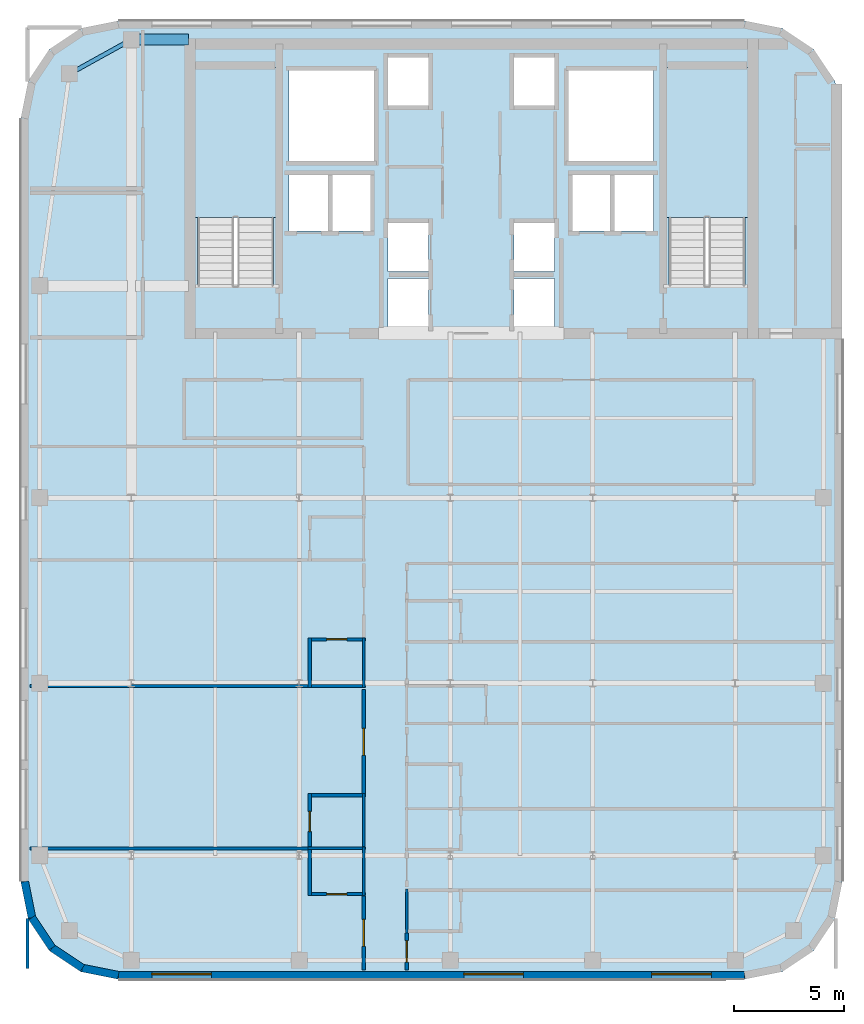
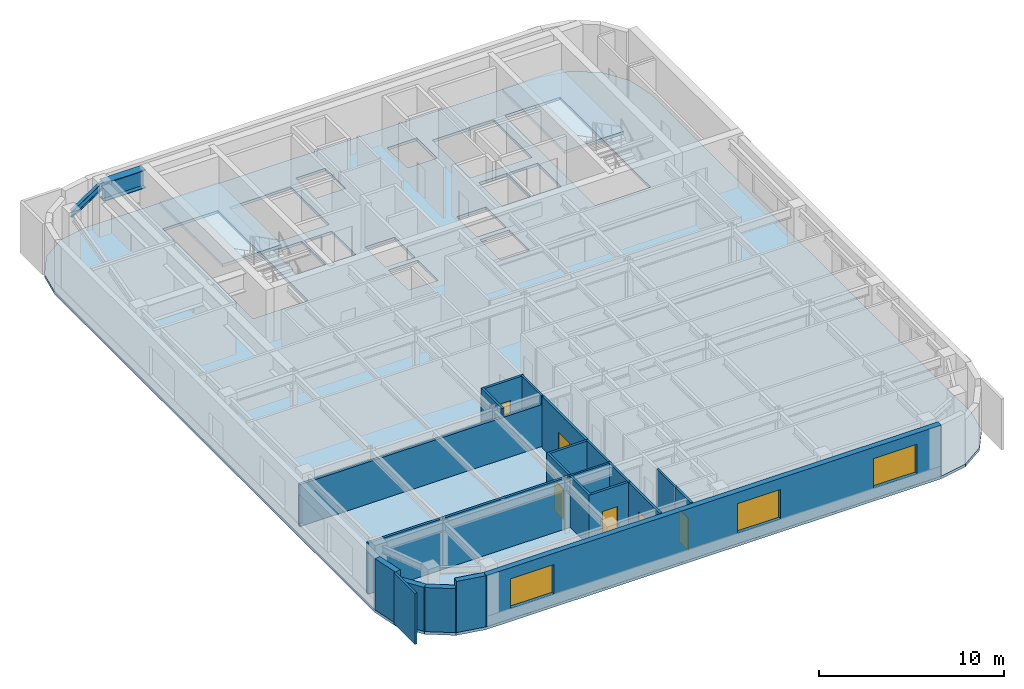
# One storey, part 3 of 12: 22 walls, 6 doors, 3 slabs, 3 windows, 2 beams, 9 openings, 2 elements without a shape of their own.
"""IFC4 building model written with IfcOpenShell, lengths in metres."""

from ifc_helpers import new_model, si_unit, direction, frame, frame_2d, origin, origin_2d, place, context, subcontext, project, spatial, polyline, rectangle, i_section, outline, extrude, source, transform, mapped, material, layer, layer_set, material_profile, profile_set, type_object, type_shapes, element, fill, aggregate, save


model = new_model("IFC4")

# Units and contexts
model_context = context("Model", 3, precision=1e-05, world=origin(), true_north=direction((0.0, 1.0)))
body_context = subcontext(model_context, "Body", "Model", "MODEL_VIEW")
ifc_project = project(units=[si_unit("LENGTHUNIT", "METRE"), si_unit("AREAUNIT", "SQUARE_METRE"), si_unit("VOLUMEUNIT", "CUBIC_METRE"), si_unit("PLANEANGLEUNIT", "RADIAN"), si_unit("MASSUNIT", "GRAM", prefix="KILO")], contexts=[model_context])

# Site, building, storey
site_placement = place(None, origin())
site = spatial("IfcSite", under=ifc_project, at=site_placement, CompositionType="ELEMENT")
building_placement = place(site_placement, origin())
building = spatial("IfcBuilding", under=site, at=building_placement, Name="Tolvann Quenvar Hotel", CompositionType="ELEMENT")
storey_placement = place(building_placement, frame((0.0, 0.0, 213.25)))
storey = spatial("IfcBuildingStorey", under=building, at=storey_placement, Name="L56", CompositionType="ELEMENT", Elevation=213.25)

# Beams
ifc_material_1 = material(Name="Steel Grade 350", Category="steel")
ifc_material_profile_1 = material_profile(ifc_material_1, i_section(OverallWidth=0.5, OverallDepth=1.199951171875, WebThickness=0.01611328125, FlangeThickness=0.0400390625, at=origin_2d()), Name="1200WB455")
ifc_profile_set_1 = profile_set([ifc_material_profile_1], Name="Steel Grade 350")
beam_type_1 = type_object("IfcBeamType", Name="BM_TG_1200WB455", PredefinedType="USERDEFINED", material=ifc_profile_set_1)
shared_shape_1 = source(origin(), body_context, "Body", "SweptSolid", [
    extrude(i_section(OverallWidth=0.5, OverallDepth=1.199951171875, WebThickness=0.01611328125, FlangeThickness=0.0400390625, at=origin_2d()), origin(), (0.0, 0.0, 1.0), 2.599853515625),
])
type_shapes(beam_type_1, [shared_shape_1])
beam_1_placement = place(storey_placement, frame((7.60009765625, 45.14990234375, 2.77001953125), z_axis=(1.0, 0.0, 0.0), x_axis=(0.0, 1.0, 0.0)))
element("IfcBeam", 1, at=beam_1_placement, inside=storey, type_object=beam_type_1, Name="BM-L56-CTW-CN", ObjectType="TRANSFER GIRDER", PredefinedType="USERDEFINED", context=body_context, shape_type="MappedRepresentation", body=[
    mapped(shared_shape_1, transform((0.0, 0.0, 0.0), x_axis=(1.0, 0.0, 0.0), y_axis=(0.0, 1.0, 0.0), z_axis=(0.0, 0.0, 1.0), scale=1.0)),
])
ifc_material_profile_2 = material_profile(ifc_material_1, i_section(OverallWidth=0.19091796875, OverallDepth=0.4599609375, WebThickness=0.010009765625, FlangeThickness=0.01611328125, FilletRadius=0.011474609375, at=origin_2d()), Name="460UB82")
ifc_profile_set_2 = profile_set([ifc_material_profile_2], Name="Steel Grade 350")
beam_type_2 = type_object("IfcBeamType", Name="BM_SPAND_460UB82", PredefinedType="SPANDREL", material=ifc_profile_set_2)
shared_shape_2 = source(origin(), body_context, "Body", "SweptSolid", [
    extrude(i_section(OverallWidth=0.19091796875, OverallDepth=0.4599609375, WebThickness=0.010009765625, FlangeThickness=0.01611328125, FilletRadius=0.011474609375, at=origin_2d()), origin(), (0.0, 0.0, 1.0), 3.200439453125),
])
type_shapes(beam_type_2, [shared_shape_2])
beam_2_placement = place(storey_placement, frame((4.800048828125, 43.60009765625, 3.139892578125), z_axis=(0.87492264453, 0.48426270359, 0.0), x_axis=(-0.48426270359, 0.87492264453, 0.0)))
element("IfcBeam", 2, at=beam_2_placement, inside=storey, type_object=beam_type_2, Name="BM-L56-FLK-W3", PredefinedType="SPANDREL", context=body_context, shape_type="MappedRepresentation", body=[
    mapped(shared_shape_2, transform((0.0, 0.0, 0.0), x_axis=(1.0, 0.0, 0.0), y_axis=(0.0, 1.0, 0.0), z_axis=(0.0, 0.0, 1.0), scale=1.0)),
])

# Stair, slab
ifc_material_2 = material(Name="Concrete N40 (40 MPa)", Category="concrete")
stair_type = type_object("IfcStairType", Name="STAIR", PredefinedType="HALF_TURN_STAIR", material=ifc_material_2)
stair_1_placement = place(storey_placement, origin())
stair_1 = element("IfcStair", 3, at=stair_1_placement, inside=storey, type_object=stair_type, Name="L56 ST-C1", PredefinedType="HALF_TURN_STAIR")
ifc_layer_1 = layer(ifc_material_2, 0.199951171875)
ifc_layer_set_1 = layer_set([ifc_layer_1], Name="Concrete N40 (40 MPa)")
slab_type_1 = type_object("IfcSlabType", Name="SLAB_LANDING", PredefinedType="LANDING", material=ifc_layer_set_1)
slab_1_placement = place(storey_placement, frame((0.0, 0.0, 1.574951171875)))
slab_1 = element("IfcSlab", 4, at=slab_1_placement, type_object=slab_type_1, Name="ST-C1 landing 1", PredefinedType="LANDING", context=body_context, shape_type="SweptSolid", body=[
    extrude(outline(polyline([(14.179931640625, 37.10498046875), (14.179931640625, 43.8798828125), (10.469970703125, 43.8798828125), (10.469970703125, 37.10498046875), (14.179931640625, 37.10498046875)])), origin(), (0.0, 0.0, 1.0), 0.199951171875),
])
aggregate(stair_1, [slab_1])

stair_2_placement = place(storey_placement, origin())
stair_2 = element("IfcStair", 5, at=stair_2_placement, inside=storey, type_object=stair_type, Name="L56 ST-C2", PredefinedType="HALF_TURN_STAIR")
slab_2_placement = place(storey_placement, frame((0.0, 0.0, 1.574951171875)))
slab_2 = element("IfcSlab", 6, at=slab_2_placement, type_object=slab_type_1, Name="ST-C2 landing 1", PredefinedType="LANDING", context=body_context, shape_type="SweptSolid", body=[
    extrude(outline(polyline([(35.530029296875, 37.10498046875), (35.530029296875, 43.8798828125), (31.820068359375, 43.8798828125), (31.820068359375, 37.10498046875), (35.530029296875, 37.10498046875)])), origin(), (0.0, 0.0, 1.0), 0.199951171875),
])
aggregate(stair_2, [slab_2])

# Slab
ifc_layer_2 = layer(ifc_material_2, 0.179931640625)
ifc_layer_set_2 = layer_set([ifc_layer_2], Name="Concrete N40 (40 MPa)")
slab_type_2 = type_object("IfcSlabType", Name="SLAB_TWR_180", PredefinedType="FLOOR", material=ifc_layer_set_2)
slab_3_placement = place(storey_placement, frame((0.0, 0.0, -0.179931640625)))
element("IfcSlab", 7, at=slab_3_placement, inside=storey, type_object=slab_type_2, Name="Level L56 Structural Floor Slab", PredefinedType="FLOOR", context=body_context, shape_type="SweptSolid", body=[
    extrude(outline(polyline([(2.60009765625, 7.0), (2.934814453125, 5.316162109375), (3.888671875, 3.888671875), (5.316162109375, 2.934814453125), (7.0, 2.60009765625), (35.39990234375, 2.60009765625), (37.083740234375, 2.934814453125), (38.51123046875, 3.888671875), (39.465087890625, 5.316162109375), (39.800048828125, 7.0), (39.800048828125, 41.60009765625), (39.465087890625, 43.28369140625), (38.51123046875, 44.711181640625), (37.083740234375, 45.6650390625), (35.39990234375, 46.0), (7.0, 46.0), (5.316162109375, 45.6650390625), (3.888671875, 44.711181640625), (2.934814453125, 43.28369140625), (2.60009765625, 41.60009765625), (2.60009765625, 7.0)]), holes=[polyline([(31.949951171875, 34.02490234375), (31.949951171875, 43.800048828125), (35.39990234375, 43.800048828125), (35.39990234375, 34.02490234375), (31.949951171875, 34.02490234375)]), polyline([(27.39990234375, 43.75), (31.25, 43.75), (31.25, 39.64990234375), (27.39990234375, 39.64990234375), (27.39990234375, 43.75)]), polyline([(29.449951171875, 39.02001953125), (31.25, 39.02001953125), (31.25, 36.47998046875), (29.449951171875, 36.47998046875), (29.449951171875, 39.02001953125)]), polyline([(27.574951171875, 39.02001953125), (29.324951171875, 39.02001953125), (29.324951171875, 36.47998046875), (27.574951171875, 36.47998046875), (27.574951171875, 39.02001953125)]), polyline([(24.929931640625, 36.840087890625), (26.77001953125, 36.840087890625), (26.77001953125, 34.659912109375), (24.929931640625, 34.659912109375), (24.929931640625, 36.840087890625)]), polyline([(24.929931640625, 44.340087890625), (26.77001953125, 44.340087890625), (26.77001953125, 42.159912109375), (24.929931640625, 42.159912109375), (24.929931640625, 44.340087890625)]), polyline([(24.929931640625, 32.159912109375), (24.929931640625, 34.340087890625), (26.77001953125, 34.340087890625), (26.77001953125, 32.159912109375), (24.929931640625, 32.159912109375)]), polyline([(19.22998046875, 36.840087890625), (21.070068359375, 36.840087890625), (21.070068359375, 34.659912109375), (19.22998046875, 34.659912109375), (19.22998046875, 36.840087890625)]), polyline([(19.22998046875, 44.340087890625), (21.070068359375, 44.340087890625), (21.070068359375, 42.159912109375), (19.22998046875, 42.159912109375), (19.22998046875, 44.340087890625)]), polyline([(19.22998046875, 32.159912109375), (19.22998046875, 34.340087890625), (21.070068359375, 34.340087890625), (21.070068359375, 32.159912109375), (19.22998046875, 32.159912109375)]), polyline([(14.75, 43.75), (18.60009765625, 43.75), (18.60009765625, 39.64990234375), (14.75, 39.64990234375), (14.75, 43.75)]), polyline([(16.675048828125, 39.02001953125), (18.425048828125, 39.02001953125), (18.425048828125, 36.47998046875), (16.675048828125, 36.47998046875), (16.675048828125, 39.02001953125)]), polyline([(14.75, 39.02001953125), (16.550048828125, 39.02001953125), (16.550048828125, 36.47998046875), (14.75, 36.47998046875), (14.75, 39.02001953125)]), polyline([(10.60009765625, 34.02490234375), (10.60009765625, 43.800048828125), (14.050048828125, 43.800048828125), (14.050048828125, 34.02490234375), (10.60009765625, 34.02490234375)])]), origin(), (0.0, 0.0, 1.0), 0.179931640625),
])

# Walls
ifc_material_3 = material(Name="Kiln-fired red and buff architectural clay brickwork and terracotta masonry", Category="masonry")
ifc_layer_3 = layer(ifc_material_3, 0.35009765625)
ifc_layer_set_3 = layer_set([ifc_layer_3], Name="Kiln-fired red and buff architectural clay brickwork and terracotta masonry")
wall_type_1 = type_object("IfcWallType", Name="WALL_EXT_BRICK_350", PredefinedType="SOLIDWALL", material=ifc_layer_set_3)
for number, where, z_axis, x_axis, name in (
    (8, (3.099609375, 5.384521484375, 0.0), (0.0, 0.0, 1.0), (0.555623290322, -0.831434158098, 0.0), "Exterior Chicago Brick Wall L56-E01"),
    (9, (4.014892578125, 4.014892578125, 0.0), (0.0, 0.0, 1.0), (0.831434158098, -0.555623290322, 0.0), "Exterior Chicago Brick Wall L56-E02"),
):
    element("IfcWall", number, at=place(storey_placement, frame(where, z_axis=z_axis, x_axis=x_axis)), inside=storey, type_object=wall_type_1, Name=name, PredefinedType="SOLIDWALL", context=body_context, shape_type="SweptSolid", body=[
        extrude(rectangle(XDim=1.647216796875, YDim=0.35009765625, at=frame_2d((0.82373046875, 0.0))), origin(), (0.0, 0.0, 1.0), 2.89990234375),
    ])
wall_1_placement = place(storey_placement, frame((5.384521484375, 3.099609375, 0.0), z_axis=(0.0, 0.0, 1.0), x_axis=(0.980788844421, -0.195072403631, 0.0)))
element("IfcWall", 10, at=wall_1_placement, inside=storey, type_object=wall_type_1, Name="Exterior Chicago Brick Wall L56-E03", PredefinedType="SOLIDWALL", context=body_context, shape_type="SweptSolid", body=[
    extrude(rectangle(XDim=1.66455078125, YDim=0.35009765625, at=frame_2d((0.832275390625, 0.0))), origin(), (0.0, 0.0, 1.0), 3.3701171875),
])

# Wall, openings, windows
wall_2_placement = place(storey_placement, frame((7.01708984375, 2.77490234375, 0.0), z_axis=(0.0, 0.0, 1.0), x_axis=(1.0, 0.0, 0.0)))
wall_2 = element("IfcWall", 11, at=wall_2_placement, inside=storey, type_object=wall_type_1, Name="Exterior Chicago Brick Wall L56-E04", PredefinedType="SOLIDWALL", context=body_context, shape_type="SweptSolid", body=[
    extrude(rectangle(XDim=28.36572265625, YDim=0.35009765625, at=frame_2d((14.182861328125, 0.0))), origin(), (0.0, 0.0, 1.0), 3.3701171875),
])
opening_1_placement = place(wall_2_placement, frame((1.513916015625, 0.0, 0.679931640625)))
opening_1 = element("IfcOpeningElement", 12, at=opening_1_placement, cuts=wall_2, Name="Opening W-04", PredefinedType="OPENING", context=body_context, shape_type="SweptSolid", body=[
    extrude(rectangle(XDim=2.699951171875, YDim=1.949951171875, at=frame_2d((1.35009765625, 0.97509765625))), frame((0.0, 0.18505859375, 0.0), z_axis=(0.0, -1.0, 0.0), x_axis=(1.0, 0.0, 0.0)), (0.0, 0.0, 1.0), 0.3701171875),
])
opening_2_placement = place(wall_2_placement, frame((15.64697265625, 0.0, 0.679931640625)))
opening_2 = element("IfcOpeningElement", 13, at=opening_2_placement, cuts=wall_2, Name="Opening W-04", PredefinedType="OPENING", context=body_context, shape_type="SweptSolid", body=[
    extrude(rectangle(XDim=2.699951171875, YDim=1.949951171875, at=frame_2d((1.35009765625, 0.97509765625))), frame((0.0, 0.18505859375, 0.0), z_axis=(0.0, -1.0, 0.0), x_axis=(1.0, 0.0, 0.0)), (0.0, 0.0, 1.0), 0.3701171875),
])
opening_3_placement = place(wall_2_placement, frame((24.152099609375, 0.0, 0.679931640625)))
opening_3 = element("IfcOpeningElement", 14, at=opening_3_placement, cuts=wall_2, Name="Opening W-04", PredefinedType="OPENING", context=body_context, shape_type="SweptSolid", body=[
    extrude(rectangle(XDim=2.699951171875, YDim=1.949951171875, at=frame_2d((1.35009765625, 0.97509765625))), frame((0.0, 0.18505859375, 0.0), z_axis=(0.0, -1.0, 0.0), x_axis=(1.0, 0.0, 0.0)), (0.0, 0.0, 1.0), 0.3701171875),
])
ifc_material_4 = material(Name="Thermally broken bronze-anodised aluminium frame with double low-E glazing", Category="aluminium")
window_type = type_object("IfcWindowType", Name="WIN_STE_2700x2150", PartitioningType="TRIPLE_PANEL_HORIZONTAL", PredefinedType="WINDOW", material=ifc_material_4)
shared_shape_3 = source(origin(), body_context, "Body", "SweptSolid", [
    extrude(rectangle(XDim=2.699951171875, YDim=1.949951171875, at=frame_2d((1.35009765625, 0.97509765625))), frame((0.0, 0.090087890625, 0.0), z_axis=(0.0, -1.0, 0.0), x_axis=(1.0, 0.0, 0.0)), (0.0, 0.0, 1.0), 0.06005859375),
])
type_shapes(window_type, [shared_shape_3])
window_1_placement = place(opening_1_placement, origin())
window_1 = element("IfcWindow", 15, at=window_1_placement, inside=storey, type_object=window_type, Name="Chicago Window W-04 (EW-L56-E04-W01)", OverallHeight=1.949951171875, OverallWidth=2.699951171875, PartitioningType="TRIPLE_PANEL_HORIZONTAL", PredefinedType="WINDOW", context=body_context, shape_type="MappedRepresentation", body=[
    mapped(shared_shape_3, transform((0.0, 0.0, 0.0), x_axis=(1.0, 0.0, 0.0), y_axis=(0.0, 1.0, 0.0), z_axis=(0.0, 0.0, 1.0), scale=1.0)),
])
fill(opening_1, window_1)
window_2_placement = place(opening_2_placement, origin())
window_2 = element("IfcWindow", 16, at=window_2_placement, inside=storey, type_object=window_type, Name="Chicago Window W-04 (EW-L56-E04-W02)", OverallHeight=1.949951171875, OverallWidth=2.699951171875, PartitioningType="TRIPLE_PANEL_HORIZONTAL", PredefinedType="WINDOW", context=body_context, shape_type="MappedRepresentation", body=[
    mapped(shared_shape_3, transform((0.0, 0.0, 0.0), x_axis=(1.0, 0.0, 0.0), y_axis=(0.0, 1.0, 0.0), z_axis=(0.0, 0.0, 1.0), scale=1.0)),
])
fill(opening_2, window_2)
window_3_placement = place(opening_3_placement, origin())
window_3 = element("IfcWindow", 17, at=window_3_placement, inside=storey, type_object=window_type, Name="Chicago Window W-04 (EW-L56-E04-W03)", OverallHeight=1.949951171875, OverallWidth=2.699951171875, PartitioningType="TRIPLE_PANEL_HORIZONTAL", PredefinedType="WINDOW", context=body_context, shape_type="MappedRepresentation", body=[
    mapped(shared_shape_3, transform((0.0, 0.0, 0.0), x_axis=(1.0, 0.0, 0.0), y_axis=(0.0, 1.0, 0.0), z_axis=(0.0, 0.0, 1.0), scale=1.0)),
])
fill(opening_3, window_3)

# Walls
wall_3_placement = place(storey_placement, frame((2.77490234375, 7.01708984375, 0.0), z_axis=(0.0, 0.0, 1.0), x_axis=(0.195072403631, -0.980788844421, 0.0)))
element("IfcWall", 18, at=wall_3_placement, inside=storey, type_object=wall_type_1, Name="Exterior Chicago Brick Wall L56-E20", PredefinedType="SOLIDWALL", context=body_context, shape_type="SweptSolid", body=[
    extrude(rectangle(XDim=1.66455078125, YDim=0.35009765625, at=frame_2d((0.832275390625, 0.0))), origin(), (0.0, 0.0, 1.0), 3.3701171875),
])
ifc_material_5 = material(Name="Moisture-resistant acoustic plumbing wall assembly")
ifc_layer_4 = layer(ifc_material_5, 0.1201171875)
ifc_layer_set_4 = layer_set([ifc_layer_4], Name="Moisture-resistant acoustic plumbing wall assembly")
wall_type_2 = type_object("IfcWallType", Name="WALL_PART_BATH_120", PredefinedType="PLUMBINGWALL", material=ifc_layer_set_4)
wall_4_placement = place(storey_placement, frame((15.610107421875, 8.52001953125, 0.0), z_axis=(0.0, 0.0, 1.0), x_axis=(1.0, 0.0, 0.0)))
element("IfcWall", 19, at=wall_4_placement, inside=storey, type_object=wall_type_2, Name="Non-Rated Plumbing Partition PT-SPC-L56-ENS-WO01-N", PredefinedType="PLUMBINGWALL", context=body_context, shape_type="SweptSolid", body=[
    extrude(rectangle(XDim=2.58984375, YDim=0.1201171875, at=frame_2d((1.294921875, 0.0))), origin(), (0.0, 0.0, 1.0), 3.3701171875),
])
wall_5_placement = place(storey_placement, frame((18.1298828125, 6.383056640625, 0.0), z_axis=(0.0, 0.0, 1.0), x_axis=(0.0, 1.0, 0.0)))
element("IfcWall", 20, at=wall_5_placement, inside=storey, type_object=wall_type_2, Name="Non-Rated Plumbing Partition PT-SPC-L56-ENS-WO01-E", PredefinedType="PLUMBINGWALL", context=body_context, shape_type="SweptSolid", body=[
    extrude(rectangle(XDim=2.20703125, YDim=0.1201171875, at=frame_2d((1.103515625, 0.0))), origin(), (0.0, 0.0, 1.0), 3.3701171875),
])
wall_6_placement = place(storey_placement, frame((18.1298828125, 8.610107421875, 0.0), z_axis=(0.0, 0.0, 1.0), x_axis=(0.0, 1.0, 0.0)))
element("IfcWall", 21, at=wall_6_placement, inside=storey, type_object=wall_type_2, Name="Non-Rated Plumbing Partition PT-SPC-L56-ENS-WO02-E", PredefinedType="PLUMBINGWALL", context=body_context, shape_type="SweptSolid", body=[
    extrude(rectangle(XDim=2.389892578125, YDim=0.1201171875, at=frame_2d((1.19482421875, 0.0))), origin(), (0.0, 0.0, 1.0), 3.3701171875),
])
wall_7_placement = place(storey_placement, frame((18.1298828125, 15.81005859375, 0.0), z_axis=(0.0, 0.0, 1.0), x_axis=(0.0, 1.0, 0.0)))
element("IfcWall", 22, at=wall_7_placement, inside=storey, type_object=wall_type_2, Name="Non-Rated Plumbing Partition PT-SPC-L56-ENS-WO03-E", PredefinedType="PLUMBINGWALL", context=body_context, shape_type="SweptSolid", body=[
    extrude(rectangle(XDim=2.244873046875, YDim=0.1201171875, at=frame_2d((1.12255859375, 0.0))), origin(), (0.0, 0.0, 1.0), 3.3701171875),
])
wall_8_placement = place(storey_placement, frame((20.070068359375, 4.699951171875, 0.0), z_axis=(0.0, 0.0, 1.0), x_axis=(0.0, 1.0, 0.0)))
element("IfcWall", 23, at=wall_8_placement, inside=storey, type_object=wall_type_2, Name="Non-Rated Plumbing Partition PT-SPC-L56-ENS-EO01-W", PredefinedType="PLUMBINGWALL", context=body_context, shape_type="SweptSolid", body=[
    extrude(rectangle(XDim=1.989990234375, YDim=0.1201171875, at=frame_2d((0.9951171875, 0.0))), origin(), (0.0, 0.0, 1.0), 3.3701171875),
])
ifc_material_6 = material(Name="Acoustic twin-stud fire-rated gypsum plasterboard partition")
ifc_layer_5 = layer(ifc_material_6, 0.14990234375)
ifc_layer_set_5 = layer_set([ifc_layer_5], Name="Acoustic twin-stud fire-rated gypsum plasterboard partition")
wall_type_3 = type_object("IfcWallType", Name="WALL_PART_SUITE_150", PredefinedType="PARTITIONING", material=ifc_layer_set_5)
wall_9_placement = place(storey_placement, frame((15.679931640625, 6.383056640625, 0.0), z_axis=(0.0, 0.0, 1.0), x_axis=(0.0, 1.0, 0.0)))
element("IfcWall", 24, at=wall_9_placement, inside=storey, type_object=wall_type_3, Name="Interior Partition PT-SPC-L56-ENS-WO01-ENT", PredefinedType="PARTITIONING", context=body_context, shape_type="SweptSolid", body=[
    extrude(rectangle(XDim=2.20703125, YDim=0.14990234375, at=frame_2d((1.103515625, 0.0))), origin(), (0.0, 0.0, 1.0), 3.3701171875),
])

# Wall, opening, door
wall_10_placement = place(storey_placement, frame((15.610107421875, 6.452880859375, 0.0), z_axis=(0.0, 0.0, 1.0), x_axis=(1.0, 0.0, 0.0)))
wall_10 = element("IfcWall", 25, at=wall_10_placement, inside=storey, type_object=wall_type_3, Name="Interior Partition PT-SPC-L56-ENS-WO01-S", PredefinedType="PARTITIONING", context=body_context, shape_type="SweptSolid", body=[
    extrude(rectangle(XDim=2.58984375, YDim=0.14990234375, at=frame_2d((1.294921875, 0.0))), origin(), (0.0, 0.0, 1.0), 3.3701171875),
])
opening_4_placement = place(wall_10_placement, frame((0.8349609375, 0.0, 0.0)))
opening_4 = element("IfcOpeningElement", 26, at=opening_4_placement, cuts=wall_10, Name="Opening WD-01", PredefinedType="OPENING", context=body_context, shape_type="SweptSolid", body=[
    extrude(rectangle(XDim=0.919921875, YDim=2.010009765625, at=frame_2d((0.4599609375, 1.0048828125))), frame((0.0, 0.0849609375, 0.0), z_axis=(0.0, -1.0, 0.0), x_axis=(1.0, 0.0, 0.0)), (0.0, 0.0, 1.0), 0.169921875),
])
ifc_material_7 = material(Name="Solid-core American oak acoustic fire door leaf in steel frame", Category="steel")
door_type_1 = type_object("IfcDoorType", Name="DOOR_WC_920", OperationType="NOTDEFINED", PredefinedType="DOOR", material=ifc_material_7)
shared_shape_4 = source(origin(), body_context, "Body", "SweptSolid", [
    extrude(rectangle(XDim=0.919921875, YDim=2.010009765625, at=frame_2d((0.4599609375, 1.0048828125))), frame((0.0, 0.02490234375, 0.0), z_axis=(0.0, -1.0, 0.0), x_axis=(1.0, 0.0, 0.0)), (0.0, 0.0, 1.0), 0.050048828125),
])
type_shapes(door_type_1, [shared_shape_4])
door_1_placement = place(opening_4_placement, origin())
door_1 = element("IfcDoor", 27, at=door_1_placement, inside=storey, type_object=door_type_1, Name="Interior Door DOOR-SPC-L56-ENS-WO01", OperationType="SINGLE_SWING_RIGHT", OverallHeight=2.010009765625, OverallWidth=0.919921875, PredefinedType="DOOR", context=body_context, shape_type="MappedRepresentation", body=[
    mapped(shared_shape_4, transform((0.0, 0.0, 0.0), x_axis=(1.0, 0.0, 0.0), y_axis=(0.0, 1.0, 0.0), z_axis=(0.0, 0.0, 1.0), scale=1.0)),
])
fill(opening_4, door_1)

wall_11_placement = place(storey_placement, frame((15.679931640625, 8.610107421875, 0.0), z_axis=(0.0, 0.0, 1.0), x_axis=(0.0, 1.0, 0.0)))
wall_11 = element("IfcWall", 28, at=wall_11_placement, inside=storey, type_object=wall_type_3, Name="Interior Partition PT-SPC-L56-ENS-WO02-ENT", PredefinedType="PARTITIONING", context=body_context, shape_type="SweptSolid", body=[
    extrude(rectangle(XDim=2.389892578125, YDim=0.14990234375, at=frame_2d((1.19482421875, 0.0))), origin(), (0.0, 0.0, 1.0), 3.3701171875),
])
opening_5_placement = place(wall_11_placement, frame((0.6650390625, 0.0, 0.0)))
opening_5 = element("IfcOpeningElement", 29, at=opening_5_placement, cuts=wall_11, Name="Opening WD-01", PredefinedType="OPENING", context=body_context, shape_type="SweptSolid", body=[
    extrude(rectangle(XDim=0.919921875, YDim=2.010009765625, at=frame_2d((0.4599609375, 1.0048828125))), frame((0.0, 0.0849609375, 0.0), z_axis=(0.0, -1.0, 0.0), x_axis=(1.0, 0.0, 0.0)), (0.0, 0.0, 1.0), 0.169921875),
])
door_2_placement = place(opening_5_placement, origin())
door_2 = element("IfcDoor", 30, at=door_2_placement, inside=storey, type_object=door_type_1, Name="Interior Door DOOR-SPC-L56-ENS-WO02", OperationType="SINGLE_SWING_LEFT", OverallHeight=2.010009765625, OverallWidth=0.919921875, PredefinedType="DOOR", context=body_context, shape_type="MappedRepresentation", body=[
    mapped(shared_shape_4, transform((0.0, 0.0, 0.0), x_axis=(1.0, 0.0, 0.0), y_axis=(0.0, 1.0, 0.0), z_axis=(0.0, 0.0, 1.0), scale=1.0)),
])
fill(opening_5, door_2)

# Walls
wall_12_placement = place(storey_placement, frame((15.610107421875, 10.929931640625, 0.0), z_axis=(0.0, 0.0, 1.0), x_axis=(1.0, 0.0, 0.0)))
element("IfcWall", 31, at=wall_12_placement, inside=storey, type_object=wall_type_3, Name="Interior Partition PT-SPC-L56-ENS-WO02-N", PredefinedType="PARTITIONING", context=body_context, shape_type="SweptSolid", body=[
    extrude(rectangle(XDim=2.58984375, YDim=0.14990234375, at=frame_2d((1.294921875, 0.0))), origin(), (0.0, 0.0, 1.0), 3.3701171875),
])
wall_13_placement = place(storey_placement, frame((15.679931640625, 15.81005859375, 0.0), z_axis=(0.0, 0.0, 1.0), x_axis=(0.0, 1.0, 0.0)))
element("IfcWall", 32, at=wall_13_placement, inside=storey, type_object=wall_type_3, Name="Interior Partition PT-SPC-L56-ENS-WO03-ENT", PredefinedType="PARTITIONING", context=body_context, shape_type="SweptSolid", body=[
    extrude(rectangle(XDim=2.244873046875, YDim=0.14990234375, at=frame_2d((1.12255859375, 0.0))), origin(), (0.0, 0.0, 1.0), 3.3701171875),
])
wall_14_placement = place(storey_placement, frame((3.0048828125, 15.8798828125, 0.0), z_axis=(0.0, 0.0, 1.0), x_axis=(1.0, 0.0, 0.0)))
element("IfcWall", 33, at=wall_14_placement, inside=storey, type_object=wall_type_3, Name="Interior Partition PT-SPC-L56-ENS-WO03-S", PredefinedType="PARTITIONING", context=body_context, shape_type="SweptSolid", body=[
    extrude(rectangle(XDim=15.195068359375, YDim=0.14990234375, at=frame_2d((7.59765625, 0.0))), origin(), (0.0, 0.0, 1.0), 2.758056640625),
])

# Wall, opening, door
wall_15_placement = place(storey_placement, frame((15.610107421875, 17.985107421875, 0.0), z_axis=(0.0, 0.0, 1.0), x_axis=(1.0, 0.0, 0.0)))
wall_15 = element("IfcWall", 34, at=wall_15_placement, inside=storey, type_object=wall_type_3, Name="Interior Partition PT-SPC-L56-ENS-WO03-N", PredefinedType="PARTITIONING", context=body_context, shape_type="SweptSolid", body=[
    extrude(rectangle(XDim=2.58984375, YDim=0.14990234375, at=frame_2d((1.294921875, 0.0))), origin(), (0.0, 0.0, 1.0), 3.3701171875),
])
opening_6_placement = place(wall_15_placement, frame((0.8349609375, 0.0, 0.0)))
opening_6 = element("IfcOpeningElement", 35, at=opening_6_placement, cuts=wall_15, Name="Opening WD-01", PredefinedType="OPENING", context=body_context, shape_type="SweptSolid", body=[
    extrude(rectangle(XDim=0.919921875, YDim=2.010009765625, at=frame_2d((0.4599609375, 1.0048828125))), frame((0.0, 0.0849609375, 0.0), z_axis=(0.0, -1.0, 0.0), x_axis=(1.0, 0.0, 0.0)), (0.0, 0.0, 1.0), 0.169921875),
])
door_3_placement = place(opening_6_placement, origin())
door_3 = element("IfcDoor", 36, at=door_3_placement, inside=storey, type_object=door_type_1, Name="Interior Door DOOR-SPC-L56-ENS-WO03", OperationType="SINGLE_SWING_RIGHT", OverallHeight=2.010009765625, OverallWidth=0.919921875, PredefinedType="DOOR", context=body_context, shape_type="MappedRepresentation", body=[
    mapped(shared_shape_4, transform((0.0, 0.0, 0.0), x_axis=(1.0, 0.0, 0.0), y_axis=(0.0, 1.0, 0.0), z_axis=(0.0, 0.0, 1.0), scale=1.0)),
])
fill(opening_6, door_3)

wall_16_placement = place(storey_placement, frame((18.1298828125, 3.0048828125, 0.0), z_axis=(0.0, 0.0, 1.0), x_axis=(0.0, 1.0, 0.0)))
wall_16 = element("IfcWall", 37, at=wall_16_placement, inside=storey, type_object=wall_type_3, Name="Interior Partition PT-SPC-L56-RM-WO01-ENT", PredefinedType="PARTITIONING", context=body_context, shape_type="SweptSolid", body=[
    extrude(rectangle(XDim=3.3681640625, YDim=0.14990234375, at=frame_2d((1.68408203125, 0.0))), origin(), (0.0, 0.0, 1.0), 3.3701171875),
])
opening_7_placement = place(wall_16_placement, frame((1.08154296875, 0.0, 0.0)))
opening_7 = element("IfcOpeningElement", 38, at=opening_7_placement, cuts=wall_16, Name="Opening SD-02", PredefinedType="OPENING", context=body_context, shape_type="SweptSolid", body=[
    extrude(rectangle(XDim=1.219970703125, YDim=2.080078125, at=frame_2d((0.60986328125, 1.0400390625))), frame((0.0, 0.0849609375, 0.0), z_axis=(0.0, -1.0, 0.0), x_axis=(1.0, 0.0, 0.0)), (0.0, 0.0, 1.0), 0.169921875),
])
door_type_2 = type_object("IfcDoorType", Name="DOOR_VIP_1220", OperationType="NOTDEFINED", PredefinedType="DOOR", material=ifc_material_7)
shared_shape_5 = source(origin(), body_context, "Body", "SweptSolid", [
    extrude(rectangle(XDim=1.219970703125, YDim=2.080078125, at=frame_2d((0.60986328125, 1.0400390625))), frame((0.0, 0.02490234375, 0.0), z_axis=(0.0, -1.0, 0.0), x_axis=(1.0, 0.0, 0.0)), (0.0, 0.0, 1.0), 0.050048828125),
])
type_shapes(door_type_2, [shared_shape_5])
door_4_placement = place(opening_7_placement, origin())
door_4 = element("IfcDoor", 39, at=door_4_placement, inside=storey, type_object=door_type_2, Name="Interior Door DOOR-SPC-L56-RM-WO01", OperationType="SINGLE_SWING_RIGHT", OverallHeight=2.080078125, OverallWidth=1.219970703125, PredefinedType="DOOR", context=body_context, shape_type="MappedRepresentation", body=[
    mapped(shared_shape_5, transform((0.0, 0.0, 0.0), x_axis=(1.0, 0.0, 0.0), y_axis=(0.0, 1.0, 0.0), z_axis=(0.0, 0.0, 1.0), scale=1.0)),
])
fill(opening_7, door_4)

# Walls
wall_17_placement = place(storey_placement, frame((3.0048828125, 8.52001953125, 0.0), z_axis=(0.0, 0.0, 1.0), x_axis=(1.0, 0.0, 0.0)))
element("IfcWall", 40, at=wall_17_placement, inside=storey, type_object=wall_type_3, Name="Interior Partition PT-SPC-L56-RM-WO01-E5", PredefinedType="PARTITIONING", context=body_context, shape_type="SweptSolid", body=[
    extrude(rectangle(XDim=12.655029296875, YDim=0.14990234375, at=frame_2d((6.32763671875, 0.0))), origin(), (0.0, 0.0, 1.0), 3.3701171875),
])
wall_18_placement = place(storey_placement, frame((2.89990234375, 3.080078125, 0.0), z_axis=(0.0, 0.0, 1.0), x_axis=(0.0, 1.0, 0.0)))
element("IfcWall", 41, at=wall_18_placement, inside=storey, type_object=wall_type_3, Name="Interior Partition PT-SPC-L56-RM-WO01-E6", PredefinedType="PARTITIONING", context=body_context, shape_type="SweptSolid", body=[
    extrude(rectangle(XDim=2.264892578125, YDim=0.14990234375, at=frame_2d((1.13232421875, 0.0))), origin(), (0.0, 0.0, 1.0), 3.3701171875),
])

# Wall, opening, door
wall_19_placement = place(storey_placement, frame((18.1298828125, 11.010009765625, 0.0), z_axis=(0.0, 0.0, 1.0), x_axis=(0.0, 1.0, 0.0)))
wall_19 = element("IfcWall", 42, at=wall_19_placement, inside=storey, type_object=wall_type_3, Name="Interior Partition PT-SPC-L56-RM-WO02-ENT", PredefinedType="PARTITIONING", context=body_context, shape_type="SweptSolid", body=[
    extrude(rectangle(XDim=4.7099609375, YDim=0.14990234375, at=frame_2d((2.35498046875, 0.0))), origin(), (0.0, 0.0, 1.0), 3.3701171875),
])
opening_8_placement = place(wall_19_placement, frame((1.72509765625, 0.0, 0.0)))
opening_8 = element("IfcOpeningElement", 43, at=opening_8_placement, cuts=wall_19, Name="Opening SD-02", PredefinedType="OPENING", context=body_context, shape_type="SweptSolid", body=[
    extrude(rectangle(XDim=1.219970703125, YDim=2.080078125, at=frame_2d((0.60986328125, 1.0400390625))), frame((0.0, 0.0849609375, 0.0), z_axis=(0.0, -1.0, 0.0), x_axis=(1.0, 0.0, 0.0)), (0.0, 0.0, 1.0), 0.169921875),
])
door_5_placement = place(opening_8_placement, origin())
door_5 = element("IfcDoor", 44, at=door_5_placement, inside=storey, type_object=door_type_2, Name="Interior Door DOOR-SPC-L56-RM-WO02", OperationType="SINGLE_SWING_LEFT", OverallHeight=2.080078125, OverallWidth=1.219970703125, PredefinedType="DOOR", context=body_context, shape_type="MappedRepresentation", body=[
    mapped(shared_shape_5, transform((0.0, 0.0, 0.0), x_axis=(1.0, 0.0, 0.0), y_axis=(0.0, 1.0, 0.0), z_axis=(0.0, 0.0, 1.0), scale=1.0)),
])
fill(opening_8, door_5)

wall_20_placement = place(storey_placement, frame((20.070068359375, 3.0048828125, 0.0), z_axis=(0.0, 0.0, 1.0), x_axis=(0.0, 1.0, 0.0)))
wall_20 = element("IfcWall", 45, at=wall_20_placement, inside=storey, type_object=wall_type_3, Name="Interior Partition PT-SPC-L56-RM-EO01-ENT", PredefinedType="PARTITIONING", context=body_context, shape_type="SweptSolid", body=[
    extrude(rectangle(XDim=1.68505859375, YDim=0.14990234375, at=frame_2d((0.842529296875, 0.0))), origin(), (0.0, 0.0, 1.0), 3.3701171875),
])
opening_9_placement = place(wall_20_placement, frame((0.360107421875, 0.0, 0.0)))
opening_9 = element("IfcOpeningElement", 46, at=opening_9_placement, cuts=wall_20, Name="Opening SD-01", PredefinedType="OPENING", context=body_context, shape_type="SweptSolid", body=[
    extrude(rectangle(XDim=0.97998046875, YDim=2.1201171875, at=frame_2d((0.489990234375, 1.06005859375))), frame((0.0, 0.0849609375, 0.0), z_axis=(0.0, -1.0, 0.0), x_axis=(1.0, 0.0, 0.0)), (0.0, 0.0, 1.0), 0.169921875),
])
door_type_3 = type_object("IfcDoorType", Name="DOOR_SUITE_980", OperationType="NOTDEFINED", PredefinedType="DOOR", material=ifc_material_7)
shared_shape_6 = source(origin(), body_context, "Body", "SweptSolid", [
    extrude(rectangle(XDim=0.97998046875, YDim=2.1201171875, at=frame_2d((0.489990234375, 1.06005859375))), frame((0.0, 0.02490234375, 0.0), z_axis=(0.0, -1.0, 0.0), x_axis=(1.0, 0.0, 0.0)), (0.0, 0.0, 1.0), 0.050048828125),
])
type_shapes(door_type_3, [shared_shape_6])
door_6_placement = place(opening_9_placement, origin())
door_6 = element("IfcDoor", 47, at=door_6_placement, inside=storey, type_object=door_type_3, Name="Interior Door DOOR-SPC-L56-RM-EO01", OperationType="SINGLE_SWING_RIGHT", OverallHeight=2.1201171875, OverallWidth=0.97998046875, PredefinedType="DOOR", context=body_context, shape_type="MappedRepresentation", body=[
    mapped(shared_shape_6, transform((0.0, 0.0, 0.0), x_axis=(1.0, 0.0, 0.0), y_axis=(0.0, 1.0, 0.0), z_axis=(0.0, 0.0, 1.0), scale=1.0)),
])
fill(opening_9, door_6)

save(model, "model.ifc")
